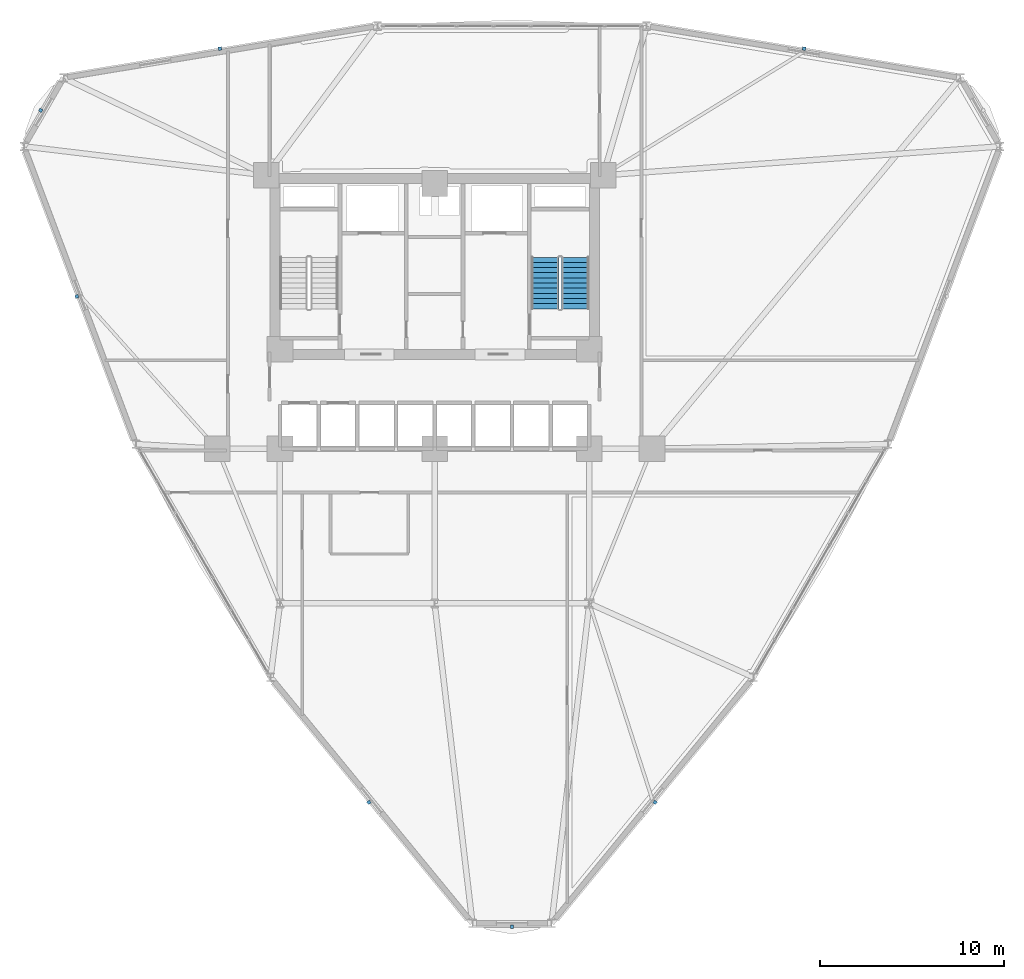
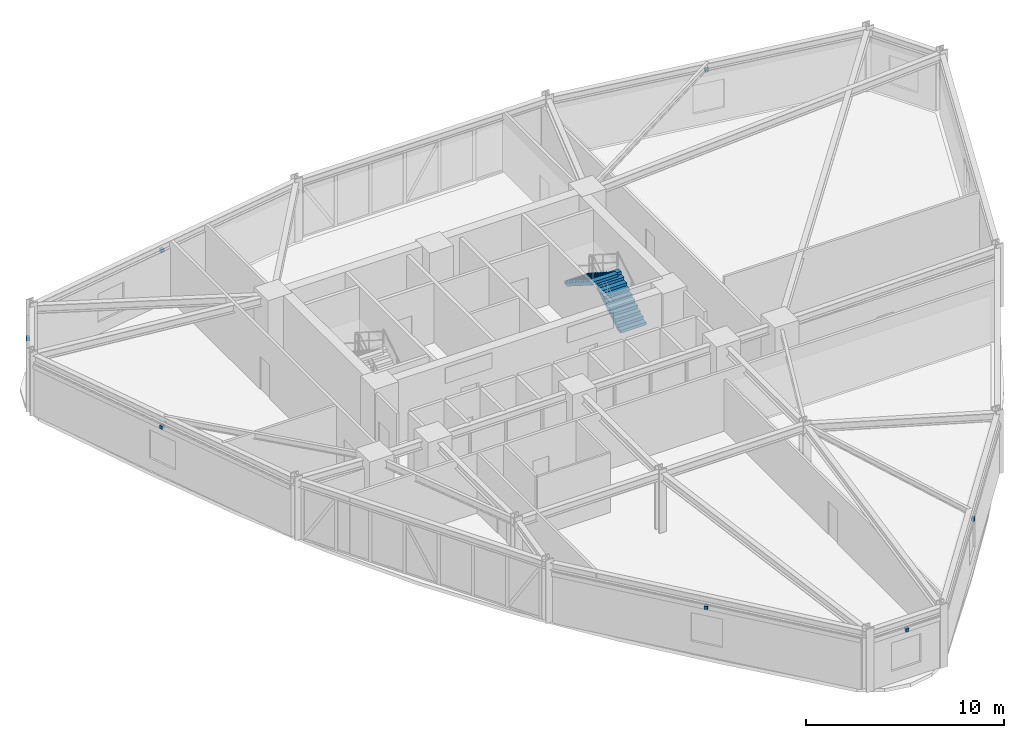
# One storey, part 16 of 20: 7 discrete accessories, 2 stair flights, 1 element without a shape of its own.
"""IFC4 building model written with IfcOpenShell, lengths in metres."""

from ifc_helpers import new_model, si_unit, derived_unit, direction, frame, origin, origin_2d, place, context, subcontext, project, spatial, polyline, rectangle, outline, extrude, source, transform, mapped, material, type_object, element, aggregate, save


model = new_model("IFC4")

# Units and contexts
model_context = context("Model", 3, precision=1e-05, world=origin(), true_north=direction((0.0, 1.0)))
body_context = subcontext(model_context, "Body", "Model", "MODEL_VIEW")
ifc_project = project(units=[si_unit("LENGTHUNIT", "METRE"), si_unit("AREAUNIT", "SQUARE_METRE"), si_unit("VOLUMEUNIT", "CUBIC_METRE"), si_unit("PLANEANGLEUNIT", "RADIAN"), si_unit("MASSUNIT", "GRAM", prefix="KILO"), derived_unit("THERMALTRANSMITTANCEUNIT", [(si_unit("POWERUNIT", "WATT"), 1), (si_unit("LENGTHUNIT", "METRE"), -2), (si_unit("THERMODYNAMICTEMPERATUREUNIT", "KELVIN"), -1)])], contexts=[model_context])

# Site, building, storey
site_placement = place(None, origin())
site = spatial("IfcSite", under=ifc_project, at=site_placement, CompositionType="ELEMENT")
building_placement = place(site_placement, origin())
building = spatial("IfcBuilding", under=site, at=building_placement, Name="Korsvarv Bourse and Concert Hall", CompositionType="ELEMENT")
storey_placement = place(building_placement, frame((0.0, 0.0, 91.199951171875)))
storey = spatial("IfcBuildingStorey", under=building, at=storey_placement, Name="L22", CompositionType="ELEMENT", Elevation=91.199951171875)

# Stair, stair flights
ifc_material_1 = material(Name="Precast concrete C45/55", Category="concrete")
stair_type = type_object("IfcStairType", Name="STR-TYPE-03", PredefinedType="HALF_TURN_STAIR", material=ifc_material_1)
stair_placement = place(storey_placement, origin())
stair = element("IfcStair", 1, at=stair_placement, inside=storey, type_object=stair_type, Name="L22 Tower East Exit Stair ST-T2", PredefinedType="HALF_TURN_STAIR")
stair_flight_type = type_object("IfcStairFlightType", Name="FLT-TYPE-03", PredefinedType="STRAIGHT", material=ifc_material_1)
stair_flight_1_placement = place(storey_placement, frame((43.64990234375, 40.0, 0.0), z_axis=(0.0, 0.0, 1.0), x_axis=(0.0, 1.0, 0.0)))
stair_flight_1 = element("IfcStairFlight", 2, at=stair_flight_1_placement, type_object=stair_flight_type, Name="ST-T2 flight 1", NumberOfRisers=11, NumberOfTreads=10, PredefinedType="STRAIGHT", RiserHeight=0.177272727, TreadLength=0.28, context=body_context, shape_type="SweptSolid", body=[
    extrude(outline(polyline([(0.0, 0.0), (0.0, 0.17724609375), (0.280029296875, 0.17724609375), (0.280029296875, 0.3544921875), (0.56005859375, 0.3544921875), (0.56005859375, 0.53173828125), (0.840087890625, 0.53173828125), (0.840087890625, 0.708984375), (1.1201171875, 0.708984375), (1.1201171875, 0.886474609375), (1.39990234375, 0.886474609375), (1.39990234375, 1.063720703125), (1.679931640625, 1.063720703125), (1.679931640625, 1.240966796875), (1.9599609375, 1.240966796875), (1.9599609375, 1.418212890625), (2.239990234375, 1.418212890625), (2.239990234375, 1.595458984375), (2.52001953125, 1.595458984375), (2.52001953125, 1.772705078125), (2.800048828125, 1.772705078125), (2.800048828125, 1.949951171875), (2.800048828125, 1.59521484375), (0.2802734375, 0.0), (0.0, 0.0)])), frame((0.0, 0.75, 0.0), z_axis=(0.0, -1.0, 0.0), x_axis=(1.0, 0.0, 0.0)), (0.0, 0.0, 1.0), 1.5),
])
stair_flight_2_placement = place(storey_placement, frame((41.989990234375, 42.800048828125, 1.949951171875), z_axis=(0.0, 0.0, 1.0), x_axis=(0.0, -1.0, 0.0)))
stair_flight_2 = element("IfcStairFlight", 3, at=stair_flight_2_placement, type_object=stair_flight_type, Name="ST-T2 flight 2", NumberOfRisers=11, NumberOfTreads=10, PredefinedType="STRAIGHT", RiserHeight=0.177272727, TreadLength=0.28, context=body_context, shape_type="SweptSolid", body=[
    extrude(outline(polyline([(0.0, 0.0), (0.0, 0.17724609375), (0.280029296875, 0.17724609375), (0.280029296875, 0.3544921875), (0.56005859375, 0.3544921875), (0.56005859375, 0.53173828125), (0.840087890625, 0.53173828125), (0.840087890625, 0.708984375), (1.1201171875, 0.708984375), (1.1201171875, 0.886474609375), (1.39990234375, 0.886474609375), (1.39990234375, 1.063720703125), (1.679931640625, 1.063720703125), (1.679931640625, 1.240966796875), (1.9599609375, 1.240966796875), (1.9599609375, 1.418212890625), (2.239990234375, 1.418212890625), (2.239990234375, 1.595458984375), (2.52001953125, 1.595458984375), (2.52001953125, 1.772705078125), (2.800048828125, 1.772705078125), (2.800048828125, 1.949951171875), (2.800048828125, 1.59521484375), (0.2802734375, 0.0), (0.0, 0.0)])), frame((0.0, 0.75, 0.0), z_axis=(0.0, -1.0, 0.0), x_axis=(1.0, 0.0, 0.0)), (0.0, 0.0, 1.0), 1.5),
])
aggregate(stair, [stair_flight_1, stair_flight_2])

# Discrete accessories
ifc_material_2 = material(Name="Stainless Steel S355 facade outrigger bracket", Category="steel")
discrete_accessory_type = type_object("IfcDiscreteAccessoryType", Name="ACC-BRK-1", PredefinedType="BRACKET", material=ifc_material_2)
shared_shape = source(origin(), body_context, "Body", "SweptSolid", [
    extrude(rectangle(XDim=0.179931640625, YDim=0.179931640625, at=origin_2d()), origin(), (0.0, 0.0, 1.0), 0.199951171875),
])
for number, where, z_axis, x_axis, name in (
    (4, (56.06103515625, 54.128662109375, 2.97021484375), (0.0, 0.0, 1.0), (-0.98665754364, 0.162809371901, 0.0), "L22 terracotta sunshade bracket EW-L22-B02"),
    (5, (24.3388671875, 54.128662109375, 2.97021484375), (0.0, 0.0, 1.0), (-0.98665754364, -0.162809371901, 0.0), "L22 terracotta sunshade bracket EW-L22-B04"),
    (6, (14.605712890625, 50.77685546875, 2.97021484375), (0.0, 0.0, 1.0), (-0.5, -0.866025403784, 0.0), "L22 terracotta sunshade bracket EW-L22-B05"),
    (7, (16.569580078125, 40.671875, 2.97021484375), (0.0, 0.0, 1.0), (0.352331719779, -0.935875183578, 0.0), "L22 terracotta sunshade bracket EW-L22-B06"),
    (8, (32.4306640625, 13.19970703125, 2.97021484375), (0.0, 0.0, 1.0), (0.63432582386, -0.773065811677, 0.0), "L22 terracotta sunshade bracket EW-L22-B08"),
    (9, (40.199951171875, 6.4462890625, 2.97021484375), (0.0, 0.0, 1.0), (1.0, 0.0, 0.0), "L22 terracotta sunshade bracket EW-L22-B09"),
    (10, (47.96923828125, 13.19970703125, 2.97021484375), (0.0, 0.0, 1.0), (0.63432582386, 0.773065811677, 0.0), "L22 terracotta sunshade bracket EW-L22-B10"),
):
    element("IfcDiscreteAccessory", number, at=place(storey_placement, frame(where, z_axis=z_axis, x_axis=x_axis)), inside=storey, type_object=discrete_accessory_type, Name=name, PredefinedType="BRACKET", context=body_context, shape_type="MappedRepresentation", body=[
        mapped(shared_shape, transform((0.0, 0.0, 0.0), scale=1.0)),
    ])

save(model, "model.ifc")
